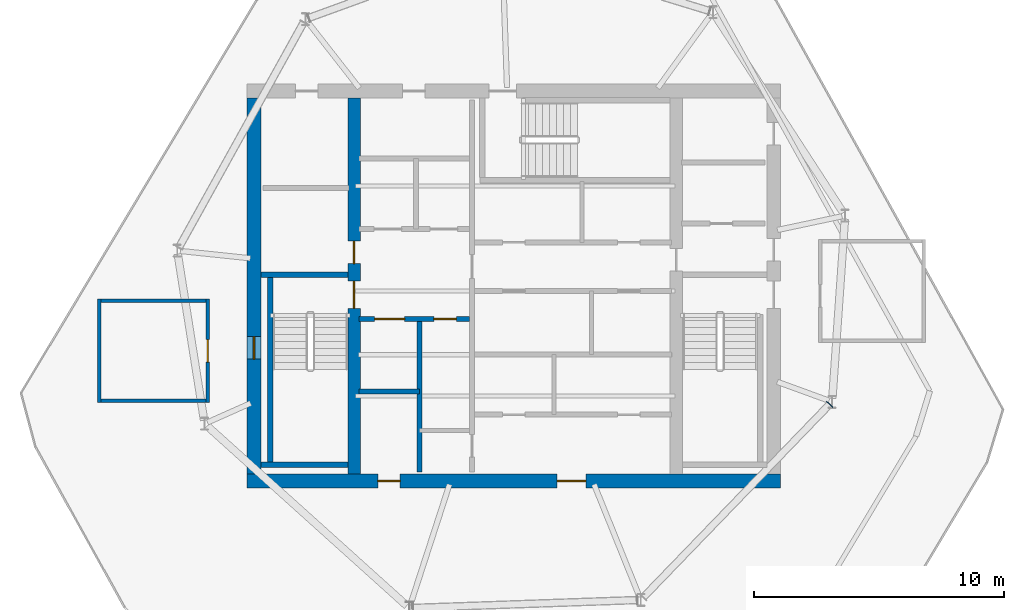
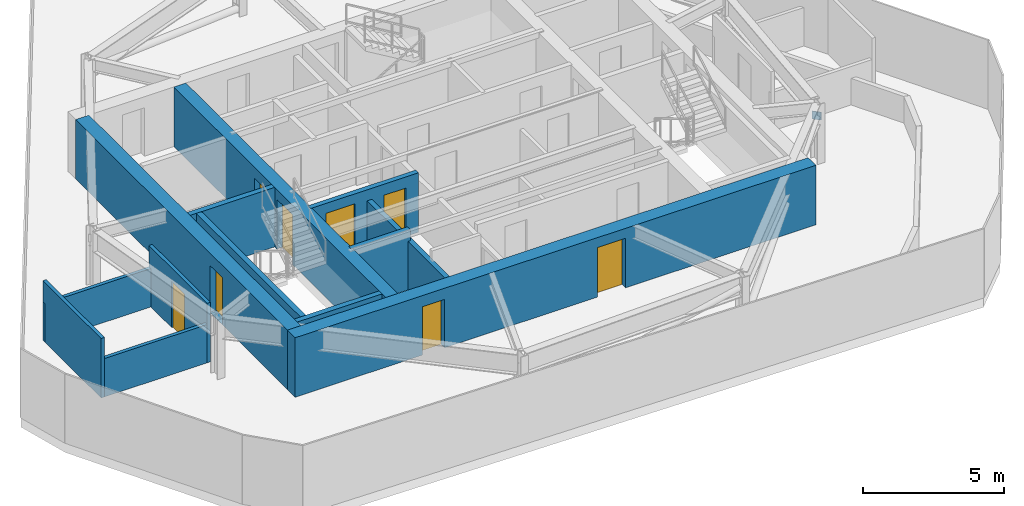
# One storey, part 3 of 6: 13 walls, 8 doors, 1 plate, 8 openings.
"""IFC4 building model written with IfcOpenShell, lengths in metres."""

from ifc_helpers import new_model, si_unit, direction, frame, frame_2d, origin, origin_2d, place, context, subcontext, project, spatial, rectangle, extrude, material, layer, layer_set, type_object, element, fill, save


model = new_model("IFC4")

# Units and contexts
model_context = context("Model", 3, precision=1e-05, world=origin(), true_north=direction((0.0, 1.0)))
body_context = subcontext(model_context, "Body", "Model", "MODEL_VIEW")
ifc_project = project(units=[si_unit("LENGTHUNIT", "METRE"), si_unit("AREAUNIT", "SQUARE_METRE"), si_unit("VOLUMEUNIT", "CUBIC_METRE"), si_unit("PLANEANGLEUNIT", "RADIAN"), si_unit("MASSUNIT", "GRAM", prefix="KILO")], contexts=[model_context])

# Site, building, storey
site_placement = place(None, origin())
site = spatial("IfcSite", under=ifc_project, at=site_placement, CompositionType="ELEMENT")
building_placement = place(site_placement, origin())
building = spatial("IfcBuilding", under=site, at=building_placement, Name="Qarnah Convention Tower", CompositionType="ELEMENT")
storey_placement = place(building_placement, frame((0.0, 0.0, 289.89990234375)))
storey = spatial("IfcBuildingStorey", under=building, at=storey_placement, Name="L78", CompositionType="ELEMENT", Elevation=289.89990234375)

# Plate
ifc_material_1 = material(Name="Structural steel S355JR", Category="steel")
ifc_layer_1 = layer(ifc_material_1, 0.028076171875)
ifc_layer_set_1 = layer_set([ifc_layer_1], Name="Structural steel S355JR")
plate_type = type_object("IfcPlateType", Name="PLT-FLANGE-28", PredefinedType="USERDEFINED", material=ifc_layer_set_1)
plate_placement = place(storey_placement, frame((49.8359375, 21.6650390625, 1.85986328125), z_axis=(0.0, 0.0, 1.0), x_axis=(0.694712354349, 0.719287664787, 0.0)))
element("IfcPlate", 1, at=plate_placement, inside=storey, type_object=plate_type, Name="L78 crown brace end cap plate 08.2", ObjectType="FLANGE_PLATE", PredefinedType="USERDEFINED", context=body_context, shape_type="SweptSolid", body=[
    extrude(rectangle(XDim=0.028076171875, YDim=0.340087890625, at=origin_2d()), origin(), (0.0, 0.0, 1.0), 0.340087890625),
])

# Wall, openings, doors
ifc_material_2 = material(Name="Concrete C60/75", Category="concrete")
ifc_layer_2 = layer(ifc_material_2, 0.550048828125)
ifc_layer_set_2 = layer_set([ifc_layer_2], Name="Concrete C60/75")
wall_type_1 = type_object("IfcWallType", Name="WL-CORE-550", PredefinedType="SHEAR", material=ifc_layer_set_2)
wall_1_placement = place(storey_placement, frame((26.52490234375, 18.60009765625, 0.0), z_axis=(0.0, 0.0, 1.0), x_axis=(1.0, 0.0, 0.0)))
wall_1 = element("IfcWall", 2, at=wall_1_placement, inside=storey, type_object=wall_type_1, Name="L78 core south shear wall", PredefinedType="SHEAR", context=body_context, shape_type="SweptSolid", body=[
    extrude(rectangle(XDim=21.35009765625, YDim=0.550048828125, at=frame_2d((10.675048828125, 0.0))), origin(), (0.0, 0.0, 1.0), 2.580078125),
])
opening_1_placement = place(wall_1_placement, frame((12.39990234375, 0.0, 0.0)))
opening_1 = element("IfcOpeningElement", 3, at=opening_1_placement, cuts=wall_1, Name="Opening D-7807", PredefinedType="OPENING", context=body_context, shape_type="SweptSolid", body=[
    extrude(rectangle(XDim=1.14990234375, YDim=2.14990234375, at=frame_2d((0.574951171875, 1.074951171875))), frame((0.0, 0.284912109375, 0.0), z_axis=(0.0, -1.0, 0.0), x_axis=(1.0, 0.0, 0.0)), (0.0, 0.0, 1.0), 0.570068359375),
])
opening_2_placement = place(wall_1_placement, frame((5.22509765625, 0.0, 0.0)))
opening_2 = element("IfcOpeningElement", 4, at=opening_2_placement, cuts=wall_1, Name="Opening D-7813", PredefinedType="OPENING", context=body_context, shape_type="SweptSolid", body=[
    extrude(rectangle(XDim=0.89990234375, YDim=2.10009765625, at=frame_2d((0.449951171875, 1.050048828125))), frame((0.0, 0.284912109375, 0.0), z_axis=(0.0, -1.0, 0.0), x_axis=(1.0, 0.0, 0.0)), (0.0, 0.0, 1.0), 0.570068359375),
])
door_type_1 = type_object("IfcDoorType", Name="DT-LOBBY-1150", OperationType="NOTDEFINED", PredefinedType="DOOR", material=ifc_material_1)
door_1_placement = place(opening_1_placement, origin())
door_1 = element("IfcDoor", 5, at=door_1_placement, inside=storey, type_object=door_type_1, Name="Door D-7807", OperationType="SINGLE_SWING_RIGHT", OverallHeight=2.14990234375, OverallWidth=1.14990234375, PredefinedType="DOOR", context=body_context, shape_type="SweptSolid", body=[
    extrude(rectangle(XDim=1.14990234375, YDim=2.14990234375, at=frame_2d((0.574951171875, 1.074951171875))), frame((0.0, 0.02490234375, 0.0), z_axis=(0.0, -1.0, 0.0), x_axis=(1.0, 0.0, 0.0)), (0.0, 0.0, 1.0), 0.050048828125),
])
fill(opening_1, door_1)
door_type_2 = type_object("IfcDoorType", Name="DT-RISER-900", OperationType="NOTDEFINED", PredefinedType="DOOR", material=ifc_material_1)
door_2_placement = place(opening_2_placement, origin())
door_2 = element("IfcDoor", 6, at=door_2_placement, inside=storey, type_object=door_type_2, Name="Door D-7813", OperationType="SINGLE_SWING_RIGHT", OverallHeight=2.10009765625, OverallWidth=0.89990234375, PredefinedType="DOOR", context=body_context, shape_type="SweptSolid", body=[
    extrude(rectangle(XDim=0.89990234375, YDim=2.10009765625, at=frame_2d((0.449951171875, 1.050048828125))), frame((0.0, 0.02490234375, 0.0), z_axis=(0.0, -1.0, 0.0), x_axis=(1.0, 0.0, 0.0)), (0.0, 0.0, 1.0), 0.050048828125),
])
fill(opening_2, door_2)

# Wall, opening, door
wall_2_placement = place(storey_placement, frame((26.800048828125, 18.875, 0.0), z_axis=(0.0, 0.0, 1.0), x_axis=(0.0, 1.0, 0.0)))
wall_2 = element("IfcWall", 7, at=wall_2_placement, inside=storey, type_object=wall_type_1, Name="L78 core west shear wall", PredefinedType="SHEAR", context=body_context, shape_type="SweptSolid", body=[
    extrude(rectangle(XDim=15.050048828125, YDim=0.550048828125, at=frame_2d((7.52490234375, 0.0))), origin(), (0.0, 0.0, 1.0), 2.580078125),
])
opening_3_placement = place(wall_2_placement, frame((4.60009765625, 0.0, 0.02001953125)))
opening_3 = element("IfcOpeningElement", 8, at=opening_3_placement, cuts=wall_2, Name="Opening HT-7801", PredefinedType="OPENING", context=body_context, shape_type="SweptSolid", body=[
    extrude(rectangle(XDim=0.89990234375, YDim=2.02001953125, at=frame_2d((0.449951171875, 1.010009765625))), frame((0.0, 0.284912109375, 0.0), z_axis=(0.0, -1.0, 0.0), x_axis=(1.0, 0.0, 0.0)), (0.0, 0.0, 1.0), 0.570068359375),
])
door_type_3 = type_object("IfcDoorType", Name="DT-HATCH-900", OperationType="NOTDEFINED", PredefinedType="TRAPDOOR", material=ifc_material_1)
door_3_placement = place(opening_3_placement, origin())
door_3 = element("IfcDoor", 9, at=door_3_placement, inside=storey, type_object=door_type_3, Name="L78 crown roof access trapdoor", OperationType="SINGLE_SWING_LEFT", OverallHeight=2.02001953125, OverallWidth=0.89990234375, PredefinedType="TRAPDOOR", context=body_context, shape_type="SweptSolid", body=[
    extrude(rectangle(XDim=0.89990234375, YDim=2.02001953125, at=frame_2d((0.449951171875, 1.010009765625))), frame((0.0, 0.02490234375, 0.0), z_axis=(0.0, -1.0, 0.0), x_axis=(1.0, 0.0, 0.0)), (0.0, 0.0, 1.0), 0.050048828125),
])
fill(opening_3, door_3)

# Wall, openings, doors
ifc_layer_3 = layer(ifc_material_2, 0.5)
ifc_layer_set_3 = layer_set([ifc_layer_3], Name="Concrete C60/75")
wall_type_2 = type_object("IfcWallType", Name="WL-CORE-INT-400", PredefinedType="SHEAR", material=ifc_layer_set_3)
wall_3_placement = place(storey_placement, frame((30.800048828125, 18.875, 0.0), z_axis=(0.0, 0.0, 1.0), x_axis=(0.0, 1.0, 0.0)))
wall_3 = element("IfcWall", 10, at=wall_3_placement, inside=storey, type_object=wall_type_2, Name="L78 core west spine shear wall", PredefinedType="SHEAR", context=body_context, shape_type="SweptSolid", body=[
    extrude(rectangle(XDim=15.050048828125, YDim=0.5, at=frame_2d((7.52490234375, 0.0))), origin(), (0.0, 0.0, 1.0), 2.580078125),
])
opening_4_placement = place(wall_3_placement, frame((6.625, 0.0, 0.0)))
opening_4 = element("IfcOpeningElement", 11, at=opening_4_placement, cuts=wall_3, Name="Opening D-7801", PredefinedType="OPENING", context=body_context, shape_type="SweptSolid", body=[
    extrude(rectangle(XDim=1.10009765625, YDim=2.14990234375, at=frame_2d((0.550048828125, 1.074951171875))), frame((0.0, 0.260009765625, 0.0), z_axis=(0.0, -1.0, 0.0), x_axis=(1.0, 0.0, 0.0)), (0.0, 0.0, 1.0), 0.52001953125),
])
opening_5_placement = place(wall_3_placement, frame((8.425048828125, 0.0, 0.0)))
opening_5 = element("IfcOpeningElement", 12, at=opening_5_placement, cuts=wall_3, Name="Opening D-7808", PredefinedType="OPENING", context=body_context, shape_type="SweptSolid", body=[
    extrude(rectangle(XDim=0.89990234375, YDim=2.10009765625, at=frame_2d((0.449951171875, 1.050048828125))), frame((0.0, 0.260009765625, 0.0), z_axis=(0.0, -1.0, 0.0), x_axis=(1.0, 0.0, 0.0)), (0.0, 0.0, 1.0), 0.52001953125),
])
door_4_placement = place(opening_5_placement, origin())
door_4 = element("IfcDoor", 13, at=door_4_placement, inside=storey, type_object=door_type_2, Name="Door D-7808", OperationType="SINGLE_SWING_LEFT", OverallHeight=2.10009765625, OverallWidth=0.89990234375, PredefinedType="DOOR", context=body_context, shape_type="SweptSolid", body=[
    extrude(rectangle(XDim=0.89990234375, YDim=2.10009765625, at=frame_2d((0.449951171875, 1.050048828125))), frame((0.0, 0.02490234375, 0.0), z_axis=(0.0, -1.0, 0.0), x_axis=(1.0, 0.0, 0.0)), (0.0, 0.0, 1.0), 0.050048828125),
])
fill(opening_5, door_4)
door_type_4 = type_object("IfcDoorType", Name="DT-STAIR-1100", OperationType="NOTDEFINED", PredefinedType="DOOR", material=ifc_material_1)
door_5_placement = place(opening_4_placement, origin())
door_5 = element("IfcDoor", 14, at=door_5_placement, inside=storey, type_object=door_type_4, Name="Door D-7801", OperationType="SINGLE_SWING_RIGHT", OverallHeight=2.14990234375, OverallWidth=1.10009765625, PredefinedType="DOOR", context=body_context, shape_type="SweptSolid", body=[
    extrude(rectangle(XDim=1.10009765625, YDim=2.14990234375, at=frame_2d((0.550048828125, 1.074951171875))), frame((0.0, 0.02490234375, 0.0), z_axis=(0.0, -1.0, 0.0), x_axis=(1.0, 0.0, 0.0)), (0.0, 0.0, 1.0), 0.050048828125),
])
fill(opening_4, door_5)

ifc_material_3 = material(Name="Concrete C45/55", Category="concrete")
ifc_layer_4 = layer(ifc_material_3, 0.199951171875)
ifc_layer_set_4 = layer_set([ifc_layer_4], Name="Concrete C45/55")
wall_type_3 = type_object("IfcWallType", Name="WL-CORE-PART-200", PredefinedType="SOLIDWALL", material=ifc_layer_set_4)
wall_4_placement = place(storey_placement, frame((31.0, 25.080078125, 0.0), z_axis=(0.0, 0.0, 1.0), x_axis=(1.0, 0.0, 0.0)))
wall_4 = element("IfcWall", 15, at=wall_4_placement, inside=storey, type_object=wall_type_3, Name="L78 interior wall IW-L78-FFLBS", PredefinedType="SOLIDWALL", context=body_context, shape_type="SweptSolid", body=[
    extrude(rectangle(XDim=4.419921875, YDim=0.199951171875, at=frame_2d((2.2099609375, 0.0))), origin(), (0.0, 0.0, 1.0), 2.580078125),
])
opening_6_placement = place(wall_4_placement, frame((3.0, 0.0, 0.0)))
opening_6 = element("IfcOpeningElement", 16, at=opening_6_placement, cuts=wall_4, Name="Opening D-7815", PredefinedType="OPENING", context=body_context, shape_type="SweptSolid", body=[
    extrude(rectangle(XDim=0.89990234375, YDim=2.10009765625, at=frame_2d((0.449951171875, 1.050048828125))), frame((0.0, 0.10986328125, 0.0), z_axis=(0.0, -1.0, 0.0), x_axis=(1.0, 0.0, 0.0)), (0.0, 0.0, 1.0), 0.219970703125),
])
opening_7_placement = place(wall_4_placement, frame((0.6201171875, 0.0, 0.0)))
opening_7 = element("IfcOpeningElement", 17, at=opening_7_placement, cuts=wall_4, Name="Opening LD-7803", PredefinedType="OPENING", context=body_context, shape_type="SweptSolid", body=[
    extrude(rectangle(XDim=1.199951171875, YDim=2.14990234375, at=frame_2d((0.60009765625, 1.074951171875))), frame((0.0, 0.10986328125, 0.0), z_axis=(0.0, -1.0, 0.0), x_axis=(1.0, 0.0, 0.0)), (0.0, 0.0, 1.0), 0.219970703125),
])
door_type_5 = type_object("IfcDoorType", Name="DT-LIFT-1200", OperationType="SLIDING_TO_LEFT", PredefinedType="DOOR", material=ifc_material_1)
door_6_placement = place(opening_7_placement, origin())
door_6 = element("IfcDoor", 18, at=door_6_placement, inside=storey, type_object=door_type_5, Name="Door LD-7803", OperationType="SLIDING_TO_LEFT", OverallHeight=2.14990234375, OverallWidth=1.199951171875, PredefinedType="DOOR", context=body_context, shape_type="SweptSolid", body=[
    extrude(rectangle(XDim=1.199951171875, YDim=2.14990234375, at=frame_2d((0.60009765625, 1.074951171875))), frame((0.0, 0.02490234375, 0.0), z_axis=(0.0, -1.0, 0.0), x_axis=(1.0, 0.0, 0.0)), (0.0, 0.0, 1.0), 0.050048828125),
])
fill(opening_7, door_6)
door_7_placement = place(opening_6_placement, origin())
door_7 = element("IfcDoor", 19, at=door_7_placement, inside=storey, type_object=door_type_2, Name="Door D-7815", OperationType="SINGLE_SWING_RIGHT", OverallHeight=2.10009765625, OverallWidth=0.89990234375, PredefinedType="DOOR", context=body_context, shape_type="SweptSolid", body=[
    extrude(rectangle(XDim=0.89990234375, YDim=2.10009765625, at=frame_2d((0.449951171875, 1.050048828125))), frame((0.0, 0.02490234375, 0.0), z_axis=(0.0, -1.0, 0.0), x_axis=(1.0, 0.0, 0.0)), (0.0, 0.0, 1.0), 0.050048828125),
])
fill(opening_6, door_7)

# Walls
wall_5_placement = place(storey_placement, frame((33.419921875, 18.949951171875, 0.0), z_axis=(0.0, 0.0, 1.0), x_axis=(0.0, 1.0, 0.0)))
element("IfcWall", 20, at=wall_5_placement, inside=storey, type_object=wall_type_3, Name="L78 interior wall IW-L78-SVLE", PredefinedType="SOLIDWALL", context=body_context, shape_type="SweptSolid", body=[
    extrude(rectangle(XDim=6.130126953125, YDim=0.199951171875, at=frame_2d((3.06494140625, 0.0))), origin(), (0.0, 0.0, 1.0), 2.10107421875),
])
wall_6_placement = place(storey_placement, frame((31.0, 22.179931640625, 0.0), z_axis=(0.0, 0.0, 1.0), x_axis=(1.0, 0.0, 0.0)))
element("IfcWall", 21, at=wall_6_placement, inside=storey, type_object=wall_type_3, Name="L78 interior wall IW-L78-SVLS", PredefinedType="SOLIDWALL", context=body_context, shape_type="SweptSolid", body=[
    extrude(rectangle(XDim=2.419921875, YDim=0.199951171875, at=frame_2d((1.2099609375, 0.0))), origin(), (0.0, 0.0, 1.0), 2.580078125),
])
ifc_layer_5 = layer(ifc_material_2, 0.219970703125)
ifc_layer_set_5 = layer_set([ifc_layer_5], Name="Concrete C60/75")
wall_type_4 = type_object("IfcWallType", Name="WL-CORE-STAIR-220", PredefinedType="SHEAR", material=ifc_layer_set_5)
wall_7_placement = place(storey_placement, frame((27.074951171875, 26.860107421875, 0.0), z_axis=(0.0, 0.0, 1.0), x_axis=(1.0, 0.0, 0.0)))
element("IfcWall", 22, at=wall_7_placement, inside=storey, type_object=wall_type_4, Name="L78 stair shaft shear wall SW-L78-ST1N", PredefinedType="SHEAR", context=body_context, shape_type="SweptSolid", body=[
    extrude(rectangle(XDim=3.47509765625, YDim=0.219970703125, at=frame_2d((1.737548828125, 0.0))), origin(), (0.0, 0.0, 1.0), 2.580078125),
])
wall_8_placement = place(storey_placement, frame((27.43994140625, 19.35009765625, 0.0), z_axis=(0.0, 0.0, 1.0), x_axis=(0.0, 1.0, 0.0)))
element("IfcWall", 23, at=wall_8_placement, inside=storey, type_object=wall_type_4, Name="L78 stair shaft shear wall SW-L78-ST1W", PredefinedType="SHEAR", context=body_context, shape_type="SweptSolid", body=[
    extrude(rectangle(XDim=7.39990234375, YDim=0.219970703125, at=frame_2d((3.699951171875, 0.0))), origin(), (0.0, 0.0, 1.0), 2.580078125),
])
wall_9_placement = place(storey_placement, frame((27.074951171875, 19.239990234375, 0.0), z_axis=(0.0, 0.0, 1.0), x_axis=(1.0, 0.0, 0.0)))
element("IfcWall", 24, at=wall_9_placement, inside=storey, type_object=wall_type_4, Name="L78 stair shaft shear wall SW-L78-ST1S", PredefinedType="SHEAR", context=body_context, shape_type="SweptSolid", body=[
    extrude(rectangle(XDim=3.47509765625, YDim=0.219970703125, at=frame_2d((1.737548828125, 0.0))), origin(), (0.0, 0.0, 1.0), 2.580078125),
])
ifc_material_4 = material(Name="Gypsum partition board")
ifc_layer_6 = layer(ifc_material_4, 0.139892578125)
ifc_layer_set_6 = layer_set([ifc_layer_6], Name="Gypsum partition board")
wall_type_5 = type_object("IfcWallType", Name="WL-WET-140", PredefinedType="PARTITIONING", material=ifc_layer_set_6)
wall_10_placement = place(storey_placement, frame((20.530029296875, 21.800048828125, 0.0), z_axis=(0.0, 0.0, 1.0), x_axis=(1.0, 0.0, 0.0)))
element("IfcWall", 25, at=wall_10_placement, inside=storey, type_object=wall_type_5, Name="L78 interior wall IW-L78-DMPR-1", PredefinedType="PARTITIONING", context=body_context, shape_type="SweptSolid", body=[
    extrude(rectangle(XDim=4.489990234375, YDim=0.139892578125, at=frame_2d((2.2451171875, 0.0))), origin(), (0.0, 0.0, 1.0), 1.6650390625),
])

# Wall, opening, door
wall_11_placement = place(storey_placement, frame((24.949951171875, 21.72998046875, 0.0), z_axis=(0.0, 0.0, 1.0), x_axis=(0.0, 1.0, 0.0)))
wall_11 = element("IfcWall", 26, at=wall_11_placement, inside=storey, type_object=wall_type_5, Name="L78 interior wall IW-L78-DMPR-2", PredefinedType="PARTITIONING", context=body_context, shape_type="SweptSolid", body=[
    extrude(rectangle(XDim=4.14013671875, YDim=0.139892578125, at=frame_2d((2.070068359375, 0.0))), origin(), (0.0, 0.0, 1.0), 2.580078125),
])
opening_8_placement = place(wall_11_placement, frame((1.6201171875, 0.0, 0.0)))
opening_8 = element("IfcOpeningElement", 27, at=opening_8_placement, cuts=wall_11, Name="Opening D-7822", PredefinedType="OPENING", context=body_context, shape_type="SweptSolid", body=[
    extrude(rectangle(XDim=0.89990234375, YDim=2.0, at=frame_2d((0.449951171875, 1.0))), frame((0.0, 0.079833984375, 0.0), z_axis=(0.0, -1.0, 0.0), x_axis=(1.0, 0.0, 0.0)), (0.0, 0.0, 1.0), 0.159912109375),
])
door_type_6 = type_object("IfcDoorType", Name="DT-PLANT-900", OperationType="NOTDEFINED", PredefinedType="DOOR", material=ifc_material_1)
door_8_placement = place(opening_8_placement, origin())
door_8 = element("IfcDoor", 28, at=door_8_placement, inside=storey, type_object=door_type_6, Name="Door D-7822", OperationType="SINGLE_SWING_LEFT", OverallHeight=2.0, OverallWidth=0.89990234375, PredefinedType="DOOR", context=body_context, shape_type="SweptSolid", body=[
    extrude(rectangle(XDim=0.89990234375, YDim=2.0, at=frame_2d((0.449951171875, 1.0))), frame((0.0, 0.02490234375, 0.0), z_axis=(0.0, -1.0, 0.0), x_axis=(1.0, 0.0, 0.0)), (0.0, 0.0, 1.0), 0.050048828125),
])
fill(opening_8, door_8)

# Walls
wall_12_placement = place(storey_placement, frame((25.02001953125, 25.800048828125, 0.0), z_axis=(0.0, 0.0, 1.0), x_axis=(-1.0, 0.0, 0.0)))
element("IfcWall", 29, at=wall_12_placement, inside=storey, type_object=wall_type_5, Name="L78 interior wall IW-L78-DMPR-3", PredefinedType="PARTITIONING", context=body_context, shape_type="SweptSolid", body=[
    extrude(rectangle(XDim=4.489990234375, YDim=0.139892578125, at=frame_2d((2.2451171875, 0.0))), origin(), (0.0, 0.0, 1.0), 1.6650390625),
])
wall_13_placement = place(storey_placement, frame((20.60009765625, 25.8701171875, 0.0), z_axis=(0.0, 0.0, 1.0), x_axis=(0.0, -1.0, 0.0)))
element("IfcWall", 30, at=wall_13_placement, inside=storey, type_object=wall_type_5, Name="L78 interior wall IW-L78-DMPR-4", PredefinedType="PARTITIONING", context=body_context, shape_type="SweptSolid", body=[
    extrude(rectangle(XDim=4.14013671875, YDim=0.139892578125, at=frame_2d((2.070068359375, 0.0))), origin(), (0.0, 0.0, 1.0), 2.580078125),
])

save(model, "model.ifc")
